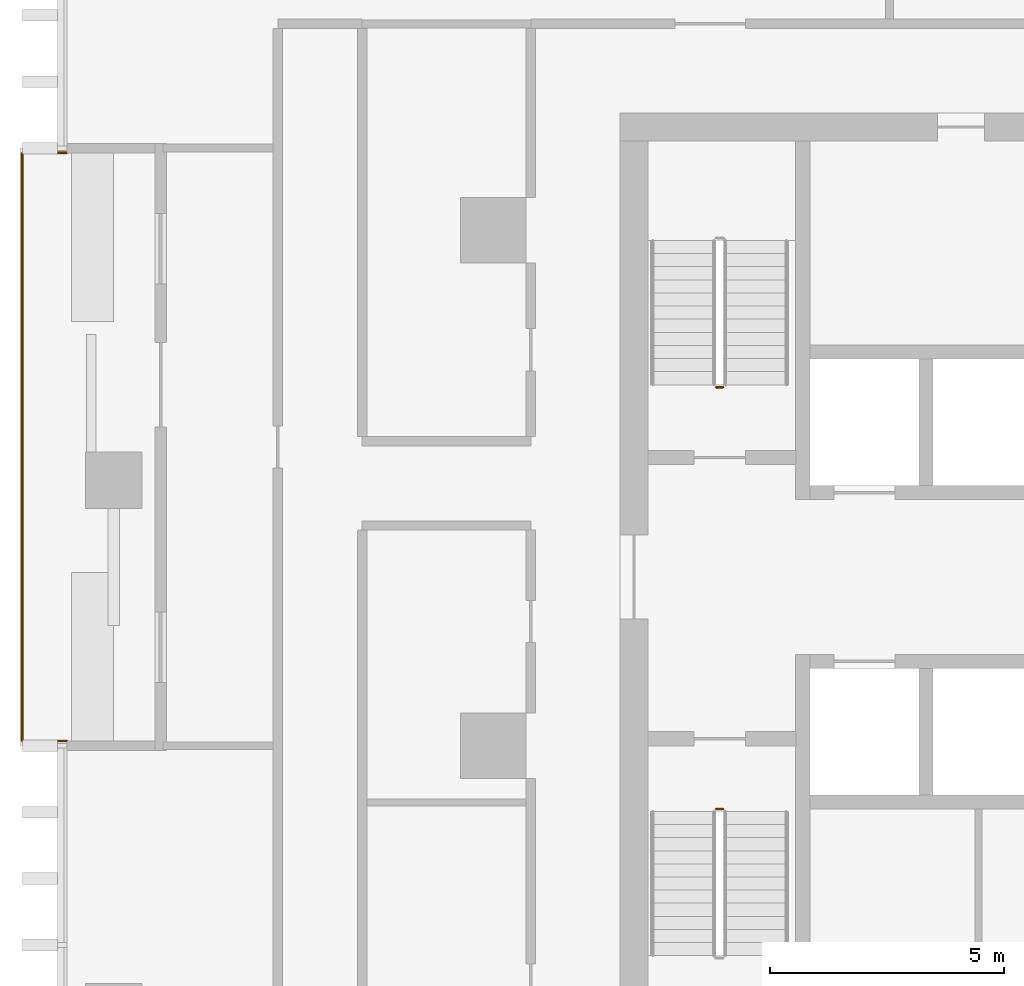
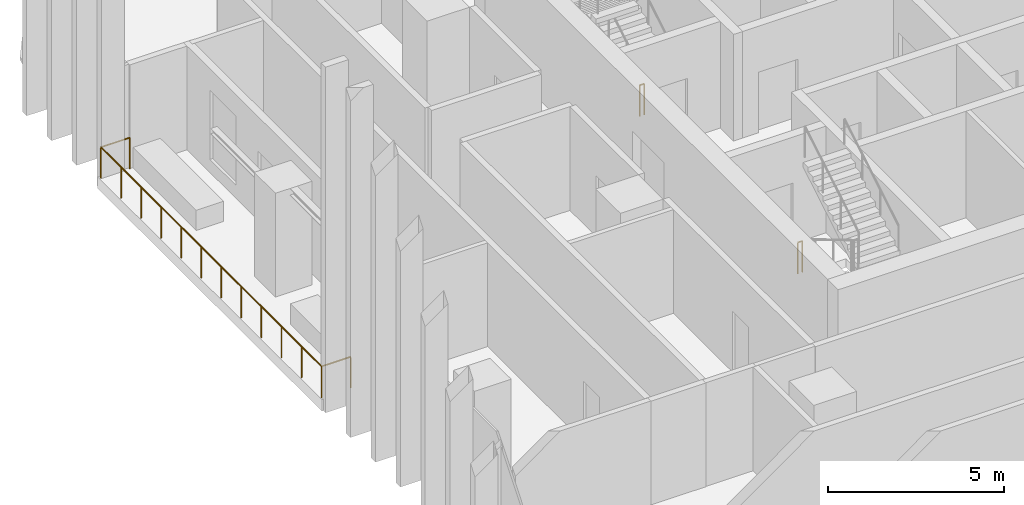
# One storey, part 13 of 15: 3 railings.
"""IFC4 building model written with IfcOpenShell, lengths in metres."""

import ifcopenshell
import ifcopenshell.guid

model = None  # the IFC model being written
_history = None  # IfcOwnerHistory: only IFC2X3 demands one
_inside = {}  # id of a spatial element -> (the spatial element, [elements in it])
_under = {}  # id of a project, library or spatial element -> (it, [spatial elements below it])
_declared = {}  # id of a project -> (the project, [libraries it declares])
_typed = {}  # id of a type object -> (the type object, [elements of that type])
_made_of = {}  # id of a material, layer set ... -> (it, [elements and type objects made of it])


def new_model(schema):
    """Start an empty IFC model of exactly this schema.

    Asked for "IFC4X3", IfcOpenShell would pick the latest addendum, in which some entities
    have other attributes; the version numbers below select the first issue.
    IFC2X3 requires an IfcOwnerHistory on every rooted entity: one is made here for all.
    """
    global model, _history
    if schema == "IFC4X3":
        model = ifcopenshell.file(schema_version=(4, 3, 0, 0))
    else:
        model = ifcopenshell.file(schema=schema)
    _inside.clear()
    _under.clear()
    _declared.clear()
    _typed.clear()
    _made_of.clear()
    _history = None
    if model.schema == "IFC2X3":
        org = make("IfcOrganization", Name="unknown")
        user = make(
            "IfcPersonAndOrganization",
            ThePerson=make("IfcPerson", FamilyName="unknown"),
            TheOrganization=org,
        )
        app = make(
            "IfcApplication",
            ApplicationDeveloper=org,
            Version="unknown",
            ApplicationFullName="unknown",
            ApplicationIdentifier="unknown",
        )
        _history = make(
            "IfcOwnerHistory",
            OwningUser=user,
            OwningApplication=app,
            ChangeAction="ADDED",
            CreationDate=0,
        )
    return model


def make(cls, **values):
    """One entity of the class cls with the attributes given. An attribute that is None is left unset."""
    return model.create_entity(
        cls, **{name: value for name, value in values.items() if value is not None}
    )


def rooted(cls, **values):
    """An entity with a GlobalId (a new one), such as an element, a storey or a relation."""
    return make(cls, GlobalId=ifcopenshell.guid.new(), OwnerHistory=_history, **values)


def si_unit(unit_type, name, prefix=None):
    """IfcSIUnit, for example si_unit("LENGTHUNIT", "METRE", prefix="MILLI")."""
    return make("IfcSIUnit", UnitType=unit_type, Prefix=prefix, Name=name)


def assignment(units):
    """IfcUnitAssignment: the units of a project."""
    return None if units is None else make("IfcUnitAssignment", Units=units)


def point(xyz):
    """IfcCartesianPoint."""
    return None if xyz is None else make("IfcCartesianPoint", Coordinates=xyz)


def direction(xyz):
    """IfcDirection."""
    return None if xyz is None else make("IfcDirection", DirectionRatios=xyz)


def frame(location, z_axis=None, x_axis=None):
    """IfcAxis2Placement3D, a coordinate frame: its origin and axes. An axis left out is left unset."""
    return make(
        "IfcAxis2Placement3D",
        Location=point(location),
        Axis=direction(z_axis),
        RefDirection=direction(x_axis),
    )


def frame_2d(location, x_axis=None):
    """IfcAxis2Placement2D, a coordinate frame in the plane: its origin and x axis."""
    return make(
        "IfcAxis2Placement2D", Location=point(location), RefDirection=direction(x_axis)
    )


def origin():
    """The frame at (0, 0, 0) with its axes left unset."""
    return frame((0.0, 0.0, 0.0))


def origin_2d():
    """The frame at (0, 0) in the plane with its x axis left unset."""
    return frame_2d((0.0, 0.0))


def place(relative_to, where):
    """IfcLocalPlacement: puts the frame where relative to a parent placement (None: the world)."""
    return make(
        "IfcLocalPlacement", PlacementRelTo=relative_to, RelativePlacement=where
    )


def context(
    kind, dimensions, precision=None, world=None, true_north=None, identifier=None
):
    """IfcGeometricRepresentationContext, for example the 3D "Model" context."""
    return make(
        "IfcGeometricRepresentationContext",
        ContextIdentifier=identifier,
        ContextType=kind,
        CoordinateSpaceDimension=dimensions,
        Precision=precision,
        WorldCoordinateSystem=world,
        TrueNorth=true_north,
    )


def subcontext(parent, identifier, kind, view, scale=None):
    """IfcGeometricRepresentationSubContext, for example "Body" below "Model"."""
    return make(
        "IfcGeometricRepresentationSubContext",
        ContextIdentifier=identifier,
        ContextType=kind,
        ParentContext=parent,
        TargetScale=scale,
        TargetView=view,
    )


def project(units=None, contexts=None):
    """IfcProject with its units and contexts."""
    return rooted(
        "IfcProject",
        Name="project",
        RepresentationContexts=contexts,
        UnitsInContext=assignment(units),
    )


def spatial(cls, under=None, at=None, **own):
    """A site, building, storey or space (cls), placed at a placement, below another one or the project."""
    s = rooted(cls, ObjectPlacement=at, **own)
    if under is not None:
        _under.setdefault(under.id(), (under, []))[1].append(s)
    return s


def profile(cls, at=None, kind="AREA", **sizes):
    """A parametric profile (cls). Its sizes go by their IFC names, for example OverallWidth=200.0."""
    return make(cls, ProfileType=kind, Position=at, **sizes)


def circle(**sizes):
    """IfcCircleProfileDef."""
    return profile("IfcCircleProfileDef", **sizes)


def extrude(swept, where, along, depth):
    """IfcExtrudedAreaSolid: the profile swept, set in the frame where, extruded along a direction by depth."""
    return make(
        "IfcExtrudedAreaSolid",
        SweptArea=swept,
        Position=where,
        ExtrudedDirection=direction(along),
        Depth=depth,
    )


def shape(context_of_items, identifier, shape_type, items):
    """IfcShapeRepresentation: the items that make up one representation, for example the "Body"."""
    return make(
        "IfcShapeRepresentation",
        ContextOfItems=context_of_items,
        RepresentationIdentifier=identifier,
        RepresentationType=shape_type,
        Items=items,
    )


def material(Name=None, Category=None):
    """IfcMaterial."""
    return make("IfcMaterial", Name=Name, Category=Category)


def made_of(thing, what):
    """Note that an element or type object is made of a material, layer set ...; save() writes the relation."""
    if what is not None:
        _made_of.setdefault(what.id(), (what, []))[1].append(thing)
    return thing


def type_object(cls, material=None, **own):
    """A type object (cls), such as IfcWallType, which elements share."""
    return made_of(rooted(cls, **own), material)


def element(
    cls,
    number,
    at=None,
    inside=None,
    cuts=None,
    type_object=None,
    material=None,
    context=None,
    identifier="Body",
    shape_type=None,
    held_by="IfcProductDefinitionShape",
    body=None,
    shapes=None,
    **own,
):
    """One element of the class cls, such as IfcWall. Its Tag is "e" and its number.

    at: its placement. inside: the storey or other place that contains it. cuts: it is an
    opening in that element (IfcRelVoidsElement). A single representation is given by context,
    identifier, shape_type and body (its items); several are given by shapes. held_by: the class
    of the entity that holds the representations. save() writes the other relations.
    """
    e = rooted(cls, Tag="e%d" % number, ObjectPlacement=at, **own)
    if body is not None:
        shapes = [shape(context, identifier, shape_type, body)]
    if shapes is not None:
        e.Representation = make(held_by, Representations=shapes)
    if inside is not None:
        _inside.setdefault(inside.id(), (inside, []))[1].append(e)
    if cuts is not None:
        rooted(
            "IfcRelVoidsElement", RelatingBuildingElement=cuts, RelatedOpeningElement=e
        )
    if type_object is not None:
        _typed.setdefault(type_object.id(), (type_object, []))[1].append(e)
    return made_of(e, material)


def aggregate(whole, parts):
    """IfcRelAggregates: a whole, such as a stair, and the parts it consists of."""
    return rooted("IfcRelAggregates", RelatingObject=whole, RelatedObjects=parts)


def save(model, path):
    """Write the relations noted so far, then the file.

    IfcRelAggregates (storeys below a building ...), IfcRelContainedInSpatialStructure (elements
    in a storey), IfcRelDefinesByType, IfcRelAssociatesMaterial and IfcRelDeclares: one each for
    every whole, place, type object, material and project.
    """
    for whole, parts in _under.values():
        aggregate(whole, parts)
    for where, things in _inside.values():
        rooted(
            "IfcRelContainedInSpatialStructure",
            RelatedElements=things,
            RelatingStructure=where,
        )
    for kind, things in _typed.values():
        rooted("IfcRelDefinesByType", RelatedObjects=things, RelatingType=kind)
    for what, things in _made_of.values():
        rooted("IfcRelAssociatesMaterial", RelatedObjects=things, RelatingMaterial=what)
    for by, libraries in _declared.values():
        rooted("IfcRelDeclares", RelatingContext=by, RelatedDefinitions=libraries)
    model.write(path)


model = new_model("IFC4")

# Units and contexts
model_context = context("Model", 3, precision=1e-05, world=origin(), true_north=direction((0.0, 1.0)))
body_context = subcontext(model_context, "Body", "Model", "MODEL_VIEW")
ifc_project = project(units=[si_unit("LENGTHUNIT", "METRE"), si_unit("AREAUNIT", "SQUARE_METRE"), si_unit("VOLUMEUNIT", "CUBIC_METRE"), si_unit("PLANEANGLEUNIT", "RADIAN"), si_unit("MASSUNIT", "GRAM", prefix="KILO")], contexts=[model_context])

# Site, building, storey
site_placement = place(None, origin())
site = spatial("IfcSite", under=ifc_project, at=site_placement, CompositionType="ELEMENT")
building_placement = place(site_placement, origin())
building = spatial("IfcBuilding", under=site, at=building_placement, Name="Mopane Tessera Tower", CompositionType="ELEMENT")
storey_placement = place(building_placement, frame((0.0, 0.0, 169.0)))
storey = spatial("IfcBuildingStorey", under=building, at=storey_placement, Name="L34", CompositionType="ELEMENT", Elevation=169.0)

# Railings
ifc_material_1 = material(Name="Powder-coated steel balustrade", Category="steel")
railing_type_1 = type_object("IfcRailingType", Name="Escape stair guard 1100 mm", PredefinedType="GUARDRAIL", material=ifc_material_1)
railing_1_placement = place(storey_placement, frame((-12.35009765625, -1.35009765625, 0.0)))
element("IfcRailing", 1, at=railing_1_placement, inside=storey, type_object=railing_type_1, Name="L34 ST1 stair guard 3", PredefinedType="GUARDRAIL", context=body_context, shape_type="SweptSolid", body=[
    extrude(circle(Radius=0.02392578125, at=origin_2d()), frame((0.0, 0.0, 1.076171875), z_axis=(1.0, 0.0, 0.0), x_axis=(0.0, 1.0, 0.0)), (0.0, 0.0, 1.0), 0.150146484375),
    extrude(circle(Radius=0.02099609375, at=origin_2d()), origin(), (0.0, 0.0, 1.0), 1.052001953125),
    extrude(circle(Radius=0.02099609375, at=origin_2d()), frame((0.150146484375, 0.0, 0.0)), (0.0, 0.0, 1.0), 1.052001953125),
])
railing_2_placement = place(storey_placement, frame((-12.199951171875, 7.64990234375, 0.0)))
element("IfcRailing", 2, at=railing_2_placement, inside=storey, type_object=railing_type_1, Name="L34 ST2 stair guard 3", PredefinedType="GUARDRAIL", context=body_context, shape_type="SweptSolid", body=[
    extrude(circle(Radius=0.02392578125, at=origin_2d()), frame((0.0, 0.0, 1.076171875), z_axis=(-1.0, 0.0, 0.0), x_axis=(0.0, -1.0, 0.0)), (0.0, 0.0, 1.0), 0.150146484375),
    extrude(circle(Radius=0.02099609375, at=origin_2d()), origin(), (0.0, 0.0, 1.0), 1.052001953125),
    extrude(circle(Radius=0.02099609375, at=origin_2d()), frame((-0.150146484375, 0.0, 0.0)), (0.0, 0.0, 1.0), 1.052001953125),
])
ifc_material_2 = material(Name="Stainless steel S316", Category="steel")
railing_type_2 = type_object("IfcRailingType", Name="Terrace guard 1100", PredefinedType="GUARDRAIL", material=ifc_material_2)
railing_3_placement = place(storey_placement, frame((-26.199951171875, 12.64990234375, 0.0)))
element("IfcRailing", 3, at=railing_3_placement, inside=storey, type_object=railing_type_2, Name="e:nw:L34:N1:guard", PredefinedType="GUARDRAIL", context=body_context, shape_type="SweptSolid", body=[
    extrude(circle(Radius=0.02392578125, at=origin_2d()), frame((0.0, 0.0, 1.076171875), z_axis=(-1.0, 0.0, 0.0), x_axis=(0.0, -1.0, 0.0)), (0.0, 0.0, 1.0), 0.949951171875),
    extrude(circle(Radius=0.02392578125, at=origin_2d()), frame((-0.949951171875, 0.0, 1.076171875), z_axis=(0.0, -1.0, 0.0), x_axis=(1.0, 0.0, 0.0)), (0.0, 0.0, 1.0), 12.5498046875),
    extrude(circle(Radius=0.02392578125, at=origin_2d()), frame((-0.949951171875, -12.5498046875, 1.076171875), z_axis=(1.0, 0.0, 0.0), x_axis=(0.0, 1.0, 0.0)), (0.0, 0.0, 1.0), 0.949951171875),
    extrude(circle(Radius=0.02099609375, at=origin_2d()), origin(), (0.0, 0.0, 1.0), 1.052001953125),
    extrude(circle(Radius=0.02099609375, at=origin_2d()), frame((-0.949951171875, 0.0, 0.0)), (0.0, 0.0, 1.0), 1.052001953125),
    extrude(circle(Radius=0.02099609375, at=origin_2d()), frame((-0.949951171875, -1.140869140625, 0.0)), (0.0, 0.0, 1.0), 1.052001953125),
    extrude(circle(Radius=0.02099609375, at=origin_2d()), frame((-0.949951171875, -2.28173828125, 0.0)), (0.0, 0.0, 1.0), 1.052001953125),
    extrude(circle(Radius=0.02099609375, at=origin_2d()), frame((-0.949951171875, -3.422607421875, 0.0)), (0.0, 0.0, 1.0), 1.052001953125),
    extrude(circle(Radius=0.02099609375, at=origin_2d()), frame((-0.949951171875, -4.5634765625, 0.0)), (0.0, 0.0, 1.0), 1.052001953125),
    extrude(circle(Radius=0.02099609375, at=origin_2d()), frame((-0.949951171875, -5.704345703125, 0.0)), (0.0, 0.0, 1.0), 1.052001953125),
    extrude(circle(Radius=0.02099609375, at=origin_2d()), frame((-0.949951171875, -6.845458984375, 0.0)), (0.0, 0.0, 1.0), 1.052001953125),
    extrude(circle(Radius=0.02099609375, at=origin_2d()), frame((-0.949951171875, -7.986328125, 0.0)), (0.0, 0.0, 1.0), 1.052001953125),
    extrude(circle(Radius=0.02099609375, at=origin_2d()), frame((-0.949951171875, -9.127197265625, 0.0)), (0.0, 0.0, 1.0), 1.052001953125),
    extrude(circle(Radius=0.02099609375, at=origin_2d()), frame((-0.949951171875, -10.26806640625, 0.0)), (0.0, 0.0, 1.0), 1.052001953125),
    extrude(circle(Radius=0.02099609375, at=origin_2d()), frame((-0.949951171875, -11.408935546875, 0.0)), (0.0, 0.0, 1.0), 1.052001953125),
    extrude(circle(Radius=0.02099609375, at=origin_2d()), frame((-0.949951171875, -12.5498046875, 0.0)), (0.0, 0.0, 1.0), 1.052001953125),
    extrude(circle(Radius=0.02099609375, at=origin_2d()), frame((0.0, -12.5498046875, 0.0)), (0.0, 0.0, 1.0), 1.052001953125),
])

save(model, "model.ifc")
